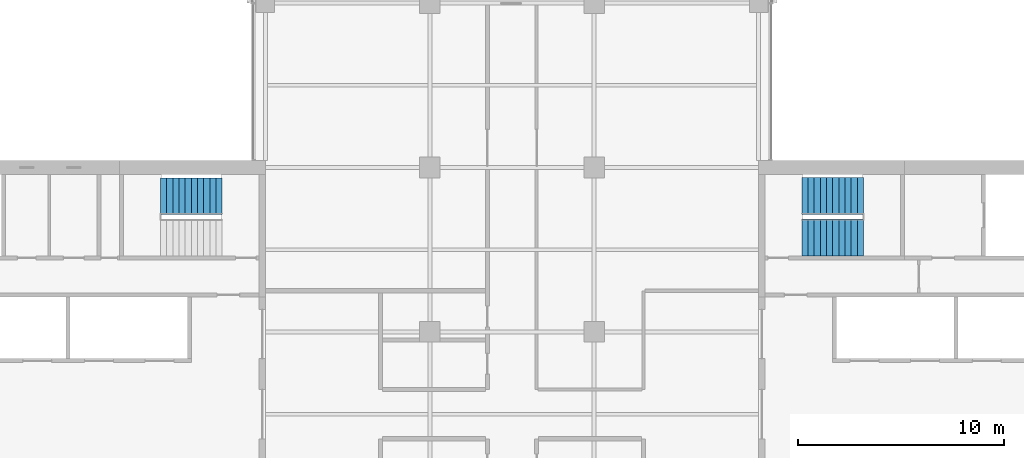
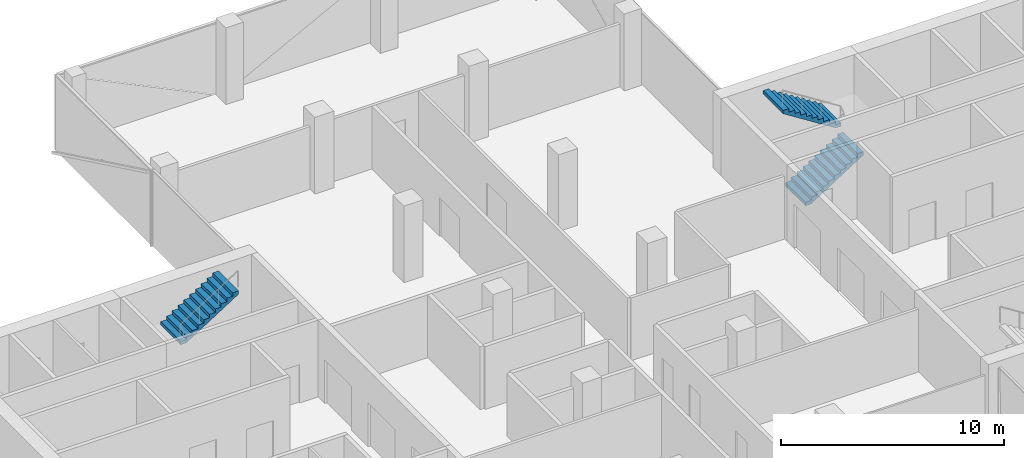
# One storey, part 17 of 22: 3 stair flights, 2 elements without a shape of their own.
"""IFC4 building model written with IfcOpenShell, lengths in metres."""

from ifc_helpers import new_model, si_unit, direction, frame, origin, place, context, subcontext, project, spatial, polyline, outline, extrude, material, type_object, element, aggregate, save


model = new_model("IFC4")

# Units and contexts
model_context = context("Model", 3, precision=1e-05, world=origin(), true_north=direction((0.0, 1.0)))
body_context = subcontext(model_context, "Body", "Model", "MODEL_VIEW")
ifc_project = project(units=[si_unit("LENGTHUNIT", "METRE"), si_unit("AREAUNIT", "SQUARE_METRE"), si_unit("VOLUMEUNIT", "CUBIC_METRE"), si_unit("PLANEANGLEUNIT", "RADIAN"), si_unit("MASSUNIT", "GRAM", prefix="KILO")], contexts=[model_context])

# Site, building, storey
site_placement = place(None, origin())
site = spatial("IfcSite", under=ifc_project, at=site_placement, CompositionType="ELEMENT")
building_placement = place(site_placement, origin())
building = spatial("IfcBuilding", under=site, at=building_placement, Name="Crosswind Convention Tower", CompositionType="ELEMENT")
storey_placement = place(building_placement, frame((0.0, 0.0, 116.89990234375)))
storey = spatial("IfcBuildingStorey", under=building, at=storey_placement, Name="L23", CompositionType="ELEMENT", Elevation=116.89990234375)

# Stair, stair flights
ifc_material = material(Name="Concrete C40/50", Category="concrete")
stair_type = type_object("IfcStairType", Name="Exit stair 1800 wide, 2 flights of 11 risers", PredefinedType="HALF_TURN_STAIR", material=ifc_material)
stair_1_placement = place(storey_placement, origin())
stair_1 = element("IfcStair", 1, at=stair_1_placement, inside=storey, type_object=stair_type, Name="Exit stair ST1 L23", ObjectType="ST5", PredefinedType="HALF_TURN_STAIR")
stair_flight_type = type_object("IfcStairFlightType", Name="Stair flight 1800 wide, 11 risers (SF4)", PredefinedType="STRAIGHT", material=ifc_material)
stair_flight_1_placement = place(storey_placement, frame((139.10009765625, 108.60009765625, 0.0), z_axis=(0.0, 0.0, 1.0), x_axis=(1.0, 0.0, 0.0)))
stair_flight_1 = element("IfcStairFlight", 2, at=stair_flight_1_placement, type_object=stair_flight_type, Name="ST1 flight 1", NumberOfRisers=11, NumberOfTreads=10, PredefinedType="STRAIGHT", RiserHeight=0.190909091, TreadLength=0.3, context=body_context, shape_type="SweptSolid", body=[
    extrude(outline(polyline([(0.0, 0.0), (0.0, 0.19091796875), (0.300048828125, 0.19091796875), (0.300048828125, 0.3818359375), (0.60009765625, 0.3818359375), (0.60009765625, 0.57275390625), (0.89990234375, 0.57275390625), (0.89990234375, 0.763671875), (1.199951171875, 0.763671875), (1.199951171875, 0.95458984375), (1.5, 0.95458984375), (1.5, 1.1455078125), (1.800048828125, 1.1455078125), (1.800048828125, 1.33642578125), (2.10009765625, 1.33642578125), (2.10009765625, 1.52734375), (2.39990234375, 1.52734375), (2.39990234375, 1.71826171875), (2.699951171875, 1.71826171875), (2.699951171875, 1.9091796875), (3.0, 1.9091796875), (3.0, 2.10009765625), (3.0, 1.7314453125), (0.279296875, 0.0), (0.0, 0.0)])), frame((0.0, 0.89990234375, 0.0), z_axis=(0.0, -1.0, 0.0), x_axis=(1.0, 0.0, 0.0)), (0.0, 0.0, 1.0), 1.800048828125),
])
stair_flight_2_placement = place(storey_placement, frame((142.10009765625, 110.60009765625, 2.10009765625), z_axis=(0.0, 0.0, 1.0), x_axis=(-1.0, 0.0, 0.0)))
stair_flight_2 = element("IfcStairFlight", 3, at=stair_flight_2_placement, type_object=stair_flight_type, Name="ST1 flight 2", NumberOfRisers=11, NumberOfTreads=10, PredefinedType="STRAIGHT", RiserHeight=0.190909091, TreadLength=0.3, context=body_context, shape_type="SweptSolid", body=[
    extrude(outline(polyline([(0.0, 0.0), (0.0, 0.19091796875), (0.300048828125, 0.19091796875), (0.300048828125, 0.3818359375), (0.60009765625, 0.3818359375), (0.60009765625, 0.57275390625), (0.89990234375, 0.57275390625), (0.89990234375, 0.763671875), (1.199951171875, 0.763671875), (1.199951171875, 0.95458984375), (1.5, 0.95458984375), (1.5, 1.1455078125), (1.800048828125, 1.1455078125), (1.800048828125, 1.33642578125), (2.10009765625, 1.33642578125), (2.10009765625, 1.52734375), (2.39990234375, 1.52734375), (2.39990234375, 1.71826171875), (2.699951171875, 1.71826171875), (2.699951171875, 1.9091796875), (3.0, 1.9091796875), (3.0, 2.10009765625), (3.0, 1.7314453125), (0.279296875, 0.0), (0.0, 0.0)])), frame((0.0, 0.89990234375, 0.0), z_axis=(0.0, -1.0, 0.0), x_axis=(1.0, 0.0, 0.0)), (0.0, 0.0, 1.0), 1.800048828125),
])
aggregate(stair_1, [stair_flight_1, stair_flight_2])

# Stair, stair flight
stair_2_placement = place(storey_placement, origin())
stair_2 = element("IfcStair", 4, at=stair_2_placement, inside=storey, type_object=stair_type, Name="Exit stair ST4 L23", ObjectType="ST5", PredefinedType="HALF_TURN_STAIR")
stair_flight_3_placement = place(storey_placement, frame((107.89990234375, 110.60009765625, 2.10009765625), z_axis=(0.0, 0.0, 1.0), x_axis=(1.0, 0.0, 0.0)))
stair_flight_3 = element("IfcStairFlight", 5, at=stair_flight_3_placement, type_object=stair_flight_type, Name="ST4 flight 2", NumberOfRisers=11, NumberOfTreads=10, PredefinedType="STRAIGHT", RiserHeight=0.190909091, TreadLength=0.3, context=body_context, shape_type="SweptSolid", body=[
    extrude(outline(polyline([(0.0, 0.0), (0.0, 0.19091796875), (0.300048828125, 0.19091796875), (0.300048828125, 0.3818359375), (0.60009765625, 0.3818359375), (0.60009765625, 0.57275390625), (0.89990234375, 0.57275390625), (0.89990234375, 0.763671875), (1.199951171875, 0.763671875), (1.199951171875, 0.95458984375), (1.5, 0.95458984375), (1.5, 1.1455078125), (1.800048828125, 1.1455078125), (1.800048828125, 1.33642578125), (2.10009765625, 1.33642578125), (2.10009765625, 1.52734375), (2.39990234375, 1.52734375), (2.39990234375, 1.71826171875), (2.699951171875, 1.71826171875), (2.699951171875, 1.9091796875), (3.0, 1.9091796875), (3.0, 2.10009765625), (3.0, 1.7314453125), (0.279296875, 0.0), (0.0, 0.0)])), frame((0.0, 0.89990234375, 0.0), z_axis=(0.0, -1.0, 0.0), x_axis=(1.0, 0.0, 0.0)), (0.0, 0.0, 1.0), 1.800048828125),
])
aggregate(stair_2, [stair_flight_3])

save(model, "model.ifc")
